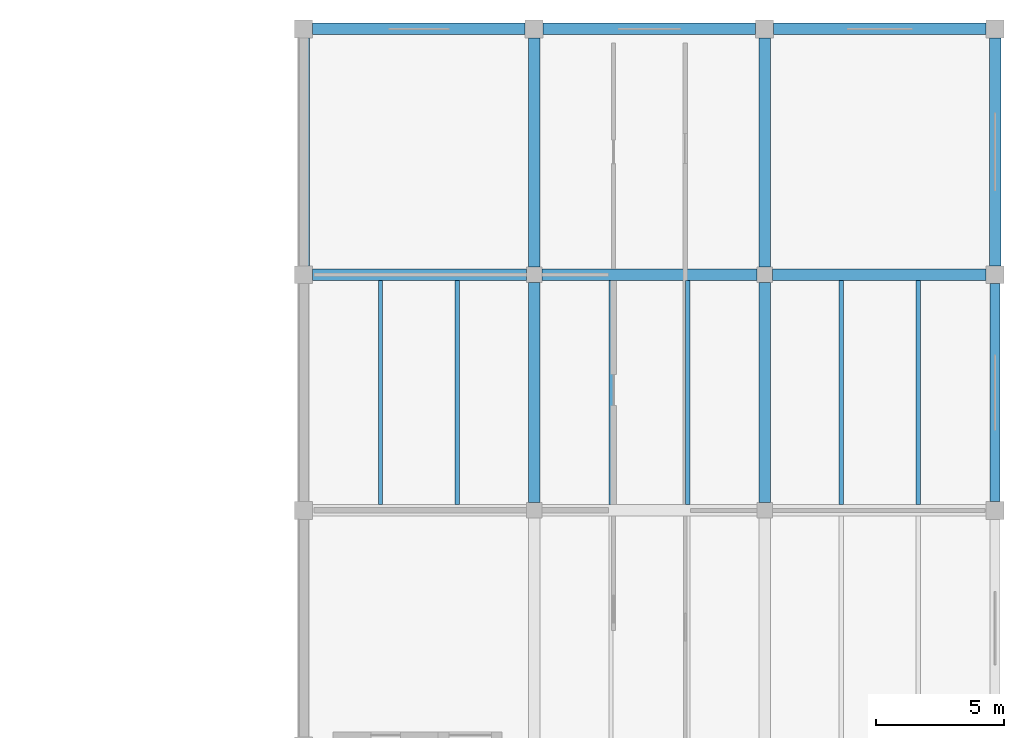
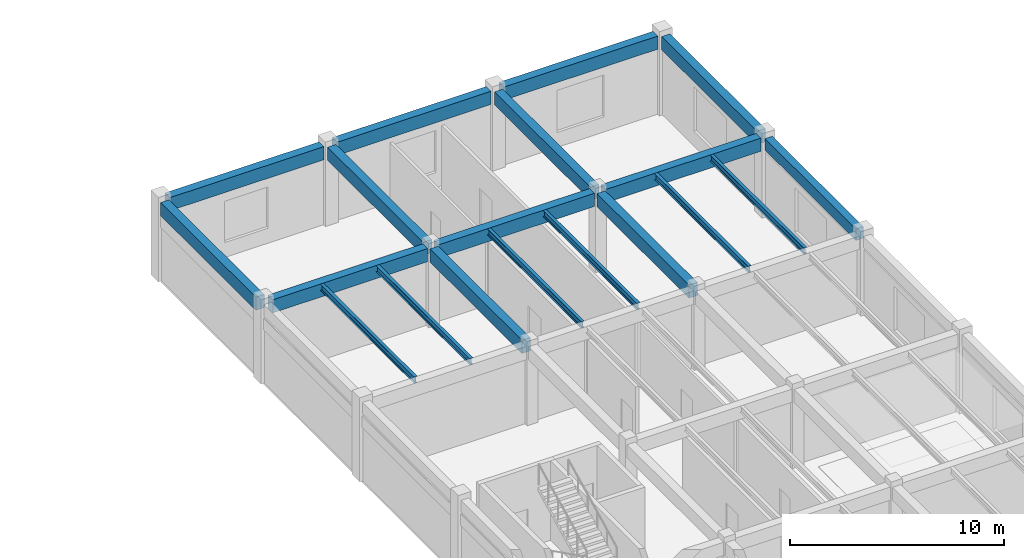
# One storey, part 29 of 61: 19 beams.
"""IFC4 building model written with IfcOpenShell, lengths in metres."""

from ifc_helpers import new_model, si_unit, direction, frame, origin, origin_2d, place, context, subcontext, project, spatial, rectangle, i_section, extrude, material, material_profile, profile_set, type_object, element, save


model = new_model("IFC4")

# Units and contexts
model_context = context("Model", 3, precision=1e-05, world=origin(), true_north=direction((0.0, 1.0)))
body_context = subcontext(model_context, "Body", "Model", "MODEL_VIEW")
ifc_project = project(units=[si_unit("LENGTHUNIT", "METRE"), si_unit("AREAUNIT", "SQUARE_METRE"), si_unit("VOLUMEUNIT", "CUBIC_METRE"), si_unit("PLANEANGLEUNIT", "RADIAN"), si_unit("MASSUNIT", "GRAM", prefix="KILO")], contexts=[model_context])

# Site, building, storey
site_placement = place(None, origin())
site = spatial("IfcSite", under=ifc_project, at=site_placement, CompositionType="ELEMENT")
building_placement = place(site_placement, origin())
building = spatial("IfcBuilding", under=site, at=building_placement, Name="Bozkorgan Art Gallery", CompositionType="ELEMENT")
storey_placement = place(building_placement, frame((0.0, 0.0, 10.199951171875)))
storey = spatial("IfcBuildingStorey", under=building, at=storey_placement, Name="L02", CompositionType="ELEMENT", Elevation=10.199951171875)

# Beams
ifc_material_1 = material(Name="Concrete C35/45", Category="concrete")
ifc_material_profile_1 = material_profile(ifc_material_1, rectangle(XDim=0.449951171875, YDim=0.75, at=origin_2d()), Name="RC 450x750")
ifc_profile_set_1 = profile_set([ifc_material_profile_1], Name="Concrete C35/45")
beam_type_1 = type_object("IfcBeamType", Name="BEAM-BM-27", PredefinedType="BEAM", material=ifc_profile_set_1)
beam_1_placement = place(storey_placement, frame((137.35009765625, 102.800048828125, 4.10498046875), z_axis=(1.0, 0.0, 0.0), x_axis=(0.0, 1.0, 0.0)))
element("IfcBeam", 1, at=beam_1_placement, inside=storey, type_object=beam_type_1, Name="V5 L02 beam X (137-146, 102.8)", PredefinedType="BEAM", context=body_context, shape_type="SweptSolid", body=[
    extrude(rectangle(XDim=0.449951171875, YDim=0.75, at=origin_2d()), origin(), (0.0, 0.0, 1.0), 8.349853515625),
])
beam_2_placement = place(storey_placement, frame((146.300048828125, 102.800048828125, 4.10498046875), z_axis=(1.0, 0.0, 0.0), x_axis=(0.0, 1.0, 0.0)))
element("IfcBeam", 2, at=beam_2_placement, inside=storey, type_object=beam_type_1, Name="V5 L02 beam X (146-155, 102.8)", PredefinedType="BEAM", context=body_context, shape_type="SweptSolid", body=[
    extrude(rectangle(XDim=0.449951171875, YDim=0.75, at=origin_2d()), origin(), (0.0, 0.0, 1.0), 8.39990234375),
])
beam_3_placement = place(storey_placement, frame((155.300048828125, 102.800048828125, 4.10498046875), z_axis=(1.0, 0.0, 0.0), x_axis=(0.0, 1.0, 0.0)))
element("IfcBeam", 3, at=beam_3_placement, inside=storey, type_object=beam_type_1, Name="V5 L02 beam X (155-164, 102.8)", PredefinedType="BEAM", context=body_context, shape_type="SweptSolid", body=[
    extrude(rectangle(XDim=0.449951171875, YDim=0.75, at=origin_2d()), origin(), (0.0, 0.0, 1.0), 8.349853515625),
])
for number, where, z_axis, x_axis, name in (
    (4, (137.35009765625, 112.39990234375, 4.10498046875), (1.0, 0.0, 0.0), (0.0, 1.0, 0.0), "V5 L02 beam X (137-146, 112.4)"),
    (5, (146.35009765625, 112.39990234375, 4.10498046875), (1.0, 0.0, 0.0), (0.0, 1.0, 0.0), "V5 L02 beam X (146-155, 112.4)"),
    (6, (155.35009765625, 112.39990234375, 4.10498046875), (1.0, 0.0, 0.0), (0.0, 1.0, 0.0), "V5 L02 beam X (155-164, 112.4)"),
):
    element("IfcBeam", number, at=place(storey_placement, frame(where, z_axis=z_axis, x_axis=x_axis)), inside=storey, type_object=beam_type_1, Name=name, PredefinedType="BEAM", context=body_context, shape_type="SweptSolid", body=[
        extrude(rectangle(XDim=0.449951171875, YDim=0.75, at=origin_2d()), origin(), (0.0, 0.0, 1.0), 8.2998046875),
    ])
beam_4_placement = place(storey_placement, frame((137.0, 103.14990234375, 4.10498046875), z_axis=(0.0, 1.0, 0.0), x_axis=(-1.0, 0.0, 0.0)))
element("IfcBeam", 7, at=beam_4_placement, inside=storey, type_object=beam_type_1, Name="V5 L02 beam Y (137, 102.8-112.4)", PredefinedType="BEAM", context=body_context, shape_type="SweptSolid", body=[
    extrude(rectangle(XDim=0.449951171875, YDim=0.75, at=origin_2d()), origin(), (0.0, 0.0, 1.0), 8.900146484375),
])
beam_5_placement = place(storey_placement, frame((146.0, 93.89990234375, 4.10498046875), z_axis=(0.0, 1.0, 0.0), x_axis=(-1.0, 0.0, 0.0)))
element("IfcBeam", 8, at=beam_5_placement, inside=storey, type_object=beam_type_1, Name="V5 L02 beam Y (146, 93.6-102.8)", PredefinedType="BEAM", context=body_context, shape_type="SweptSolid", body=[
    extrude(rectangle(XDim=0.449951171875, YDim=0.75, at=origin_2d()), origin(), (0.0, 0.0, 1.0), 8.60009765625),
])
beam_6_placement = place(storey_placement, frame((146.0, 103.10009765625, 4.10498046875), z_axis=(0.0, 1.0, 0.0), x_axis=(-1.0, 0.0, 0.0)))
element("IfcBeam", 9, at=beam_6_placement, inside=storey, type_object=beam_type_1, Name="V5 L02 beam Y (146, 102.8-112.4)", PredefinedType="BEAM", context=body_context, shape_type="SweptSolid", body=[
    extrude(rectangle(XDim=0.449951171875, YDim=0.75, at=origin_2d()), origin(), (0.0, 0.0, 1.0), 8.949951171875),
])
beam_7_placement = place(storey_placement, frame((155.0, 93.89990234375, 4.10498046875), z_axis=(0.0, 1.0, 0.0), x_axis=(-1.0, 0.0, 0.0)))
element("IfcBeam", 10, at=beam_7_placement, inside=storey, type_object=beam_type_1, Name="V5 L02 beam Y (155, 93.6-102.8)", PredefinedType="BEAM", context=body_context, shape_type="SweptSolid", body=[
    extrude(rectangle(XDim=0.449951171875, YDim=0.75, at=origin_2d()), origin(), (0.0, 0.0, 1.0), 8.60009765625),
])
beam_8_placement = place(storey_placement, frame((155.0, 103.10009765625, 4.10498046875), z_axis=(0.0, 1.0, 0.0), x_axis=(-1.0, 0.0, 0.0)))
element("IfcBeam", 11, at=beam_8_placement, inside=storey, type_object=beam_type_1, Name="V5 L02 beam Y (155, 102.8-112.4)", PredefinedType="BEAM", context=body_context, shape_type="SweptSolid", body=[
    extrude(rectangle(XDim=0.449951171875, YDim=0.75, at=origin_2d()), origin(), (0.0, 0.0, 1.0), 8.949951171875),
])
beam_9_placement = place(storey_placement, frame((164.0, 103.14990234375, 4.10498046875), z_axis=(0.0, 1.0, 0.0), x_axis=(-1.0, 0.0, 0.0)))
element("IfcBeam", 12, at=beam_9_placement, inside=storey, type_object=beam_type_1, Name="V5 L02 beam Y (164, 102.8-112.4)", PredefinedType="BEAM", context=body_context, shape_type="SweptSolid", body=[
    extrude(rectangle(XDim=0.449951171875, YDim=0.75, at=origin_2d()), origin(), (0.0, 0.0, 1.0), 8.900146484375),
])
ifc_material_2 = material(Name="Steel S355J2", Category="steel")
ifc_material_profile_2 = material_profile(ifc_material_2, i_section(OverallWidth=0.169921875, OverallDepth=0.360107421875, WebThickness=0.008056640625, FlangeThickness=0.0126953125, FilletRadius=0.01806640625, at=origin_2d()), Name="IPE 360")
ifc_profile_set_2 = profile_set([ifc_material_profile_2], Name="Steel S355J2")
beam_type_2 = type_object("IfcBeamType", Name="BEAM-JS-98", PredefinedType="JOIST", material=ifc_profile_set_2)
for number, where, z_axis, x_axis, name in (
    (13, (140.0, 93.824951171875, 4.300048828125), (0.0, 1.0, 0.0), (-1.0, 0.0, 0.0), "V5 L02 secondary joist (137-146, 93.6-102.8) #1"),
    (14, (143.0, 93.824951171875, 4.300048828125), (0.0, 1.0, 0.0), (-1.0, 0.0, 0.0), "V5 L02 secondary joist (137-146, 93.6-102.8) #2"),
    (15, (149.0, 93.824951171875, 4.300048828125), (0.0, 1.0, 0.0), (-1.0, 0.0, 0.0), "V5 L02 secondary joist (146-155, 93.6-102.8) #1"),
    (16, (152.0, 93.824951171875, 4.300048828125), (0.0, 1.0, 0.0), (-1.0, 0.0, 0.0), "V5 L02 secondary joist (146-155, 93.6-102.8) #2"),
    (17, (158.0, 93.824951171875, 4.300048828125), (0.0, 1.0, 0.0), (-1.0, 0.0, 0.0), "V5 L02 secondary joist (155-164, 93.6-102.8) #1"),
    (18, (161.0, 93.824951171875, 4.300048828125), (0.0, 1.0, 0.0), (-1.0, 0.0, 0.0), "V5 L02 secondary joist (155-164, 93.6-102.8) #2"),
):
    element("IfcBeam", number, at=place(storey_placement, frame(where, z_axis=z_axis, x_axis=x_axis)), inside=storey, type_object=beam_type_2, Name=name, PredefinedType="JOIST", context=body_context, shape_type="SweptSolid", body=[
        extrude(i_section(OverallWidth=0.169921875, OverallDepth=0.360107421875, WebThickness=0.008056640625, FlangeThickness=0.0126953125, FilletRadius=0.01806640625, at=origin_2d()), origin(), (0.0, 0.0, 1.0), 8.75),
    ])
ifc_material_profile_3 = material_profile(ifc_material_1, rectangle(XDim=0.39990234375, YDim=0.64990234375, at=origin_2d()), Name="RC 400x650")
ifc_profile_set_3 = profile_set([ifc_material_profile_3], Name="Concrete C35/45")
beam_type_3 = type_object("IfcBeamType", Name="BEAM-SP-69", PredefinedType="SPANDREL", material=ifc_profile_set_3)
beam_10_placement = place(storey_placement, frame((164.0, 93.949951171875, 4.155029296875), z_axis=(0.0, 1.0, 0.0), x_axis=(-1.0, 0.0, 0.0)))
element("IfcBeam", 19, at=beam_10_placement, inside=storey, type_object=beam_type_3, Name="V5 L02 spandrel Y (164, 93.6-102.8)", PredefinedType="SPANDREL", context=body_context, shape_type="SweptSolid", body=[
    extrude(rectangle(XDim=0.39990234375, YDim=0.64990234375, at=origin_2d()), origin(), (0.0, 0.0, 1.0), 8.5),
])

save(model, "model.ifc")
